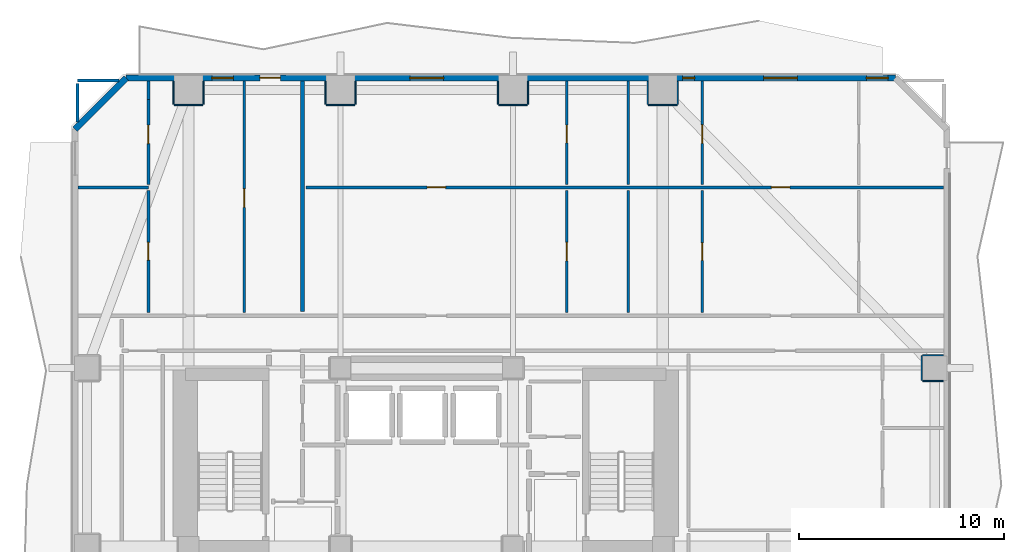
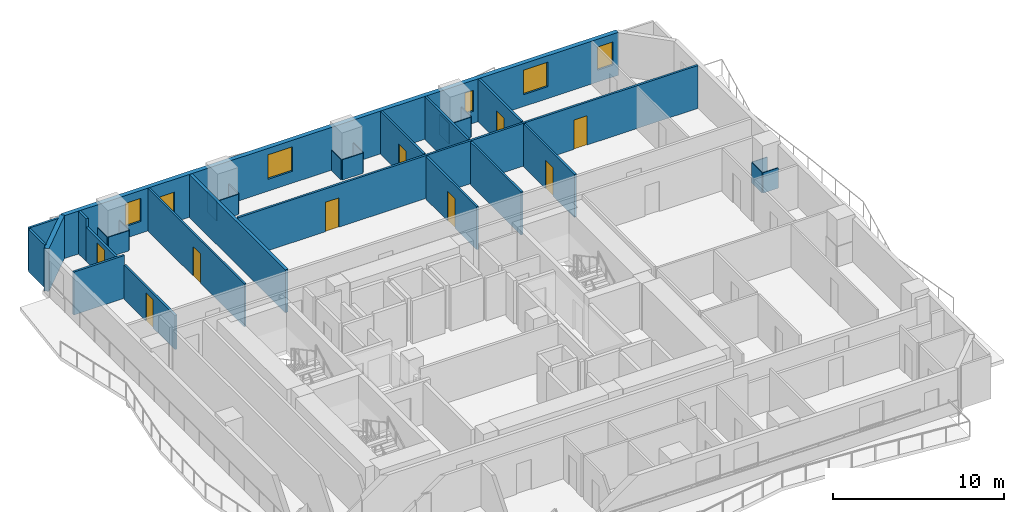
# One storey, part 6 of 11: 32 walls, 10 doors, 5 windows, 15 openings.
"""IFC4 building model written with IfcOpenShell, lengths in metres."""

from ifc_helpers import new_model, si_unit, direction, frame, frame_2d, origin, place, context, subcontext, project, spatial, rectangle, extrude, material, layer, layer_set, type_object, element, fill, save


model = new_model("IFC4")

# Units and contexts
model_context = context("Model", 3, precision=1e-05, world=origin(), true_north=direction((0.0, 1.0)))
body_context = subcontext(model_context, "Body", "Model", "MODEL_VIEW")
ifc_project = project(units=[si_unit("LENGTHUNIT", "METRE"), si_unit("AREAUNIT", "SQUARE_METRE"), si_unit("VOLUMEUNIT", "CUBIC_METRE"), si_unit("PLANEANGLEUNIT", "RADIAN"), si_unit("MASSUNIT", "GRAM", prefix="KILO")], contexts=[model_context])

# Site, building, storey
site_placement = place(None, origin())
site = spatial("IfcSite", under=ifc_project, at=site_placement, CompositionType="ELEMENT")
building_placement = place(site_placement, origin())
building = spatial("IfcBuilding", under=site, at=building_placement, Name="Solanera Arch Residences", CompositionType="ELEMENT")
storey_placement = place(building_placement, frame((0.0, 0.0, 65.159912109375)))
storey = spatial("IfcBuildingStorey", under=building, at=storey_placement, Name="L18", CompositionType="ELEMENT", Elevation=65.159912109375)

# Walls
ifc_material_1 = material(Name="Fire-Rated Gypsum Stud Partition", Category="gypsum")
ifc_layer_1 = layer(ifc_material_1, 0.06005859375)
ifc_layer_set_1 = layer_set([ifc_layer_1], Name="Fire-Rated Gypsum Stud Partition")
wall_type_1 = type_object("IfcWallType", Name="Column Acoustic Furring Wall 60", PredefinedType="PARTITIONING", material=ifc_layer_set_1)
wall_1_placement = place(storey_placement, frame((12.699951171875, 52.218017578125, 0.0), z_axis=(0.0, 0.0, 1.0), x_axis=(1.0, 0.0, 0.0)))
element("IfcWall", 1, at=wall_1_placement, inside=storey, type_object=wall_type_1, Name="L18 Column Furring 10S", PredefinedType="PARTITIONING", context=body_context, shape_type="SweptSolid", body=[
    extrude(rectangle(XDim=1.400146484375, YDim=0.06005859375, at=frame_2d((0.7001953125, 0.0))), origin(), (0.0, 0.0, 1.0), 1.4501953125),
])
for number, where, z_axis, x_axis, name in (
    (2, (12.66796875, 52.25, 0.0), (0.0, 0.0, 1.0), (0.0, 1.0, 0.0), "L18 Column Furring 10W"),
    (3, (14.132080078125, 52.25, 0.0), (0.0, 0.0, 1.0), (0.0, 1.0, 0.0), "L18 Column Furring 10E"),
):
    element("IfcWall", number, at=place(storey_placement, frame(where, z_axis=z_axis, x_axis=x_axis)), inside=storey, type_object=wall_type_1, Name=name, PredefinedType="PARTITIONING", context=body_context, shape_type="SweptSolid", body=[
        extrude(rectangle(XDim=1.1201171875, YDim=0.06005859375, at=frame_2d((0.56005859375, 0.0))), origin(), (0.0, 0.0, 1.0), 1.4501953125),
    ])
wall_2_placement = place(storey_placement, frame((20.10009765625, 52.218017578125, 0.0), z_axis=(0.0, 0.0, 1.0), x_axis=(1.0, 0.0, 0.0)))
element("IfcWall", 4, at=wall_2_placement, inside=storey, type_object=wall_type_1, Name="L18 Column Furring 12S", PredefinedType="PARTITIONING", context=body_context, shape_type="SweptSolid", body=[
    extrude(rectangle(XDim=1.39990234375, YDim=0.06005859375, at=frame_2d((0.699951171875, 0.0))), origin(), (0.0, 0.0, 1.0), 1.4501953125),
])
for number, where, z_axis, x_axis, name in (
    (5, (20.068115234375, 52.25, 0.0), (0.0, 0.0, 1.0), (0.0, 1.0, 0.0), "L18 Column Furring 12W"),
    (6, (21.531982421875, 52.25, 0.0), (0.0, 0.0, 1.0), (0.0, 1.0, 0.0), "L18 Column Furring 12E"),
):
    element("IfcWall", number, at=place(storey_placement, frame(where, z_axis=z_axis, x_axis=x_axis)), inside=storey, type_object=wall_type_1, Name=name, PredefinedType="PARTITIONING", context=body_context, shape_type="SweptSolid", body=[
        extrude(rectangle(XDim=1.1201171875, YDim=0.06005859375, at=frame_2d((0.56005859375, 0.0))), origin(), (0.0, 0.0, 1.0), 1.4501953125),
    ])
wall_3_placement = place(storey_placement, frame((28.5, 52.218017578125, 0.0), z_axis=(0.0, 0.0, 1.0), x_axis=(1.0, 0.0, 0.0)))
element("IfcWall", 7, at=wall_3_placement, inside=storey, type_object=wall_type_1, Name="L18 Column Furring 14S", PredefinedType="PARTITIONING", context=body_context, shape_type="SweptSolid", body=[
    extrude(rectangle(XDim=1.39990234375, YDim=0.06005859375, at=frame_2d((0.699951171875, 0.0))), origin(), (0.0, 0.0, 1.0), 1.4501953125),
])
for number, where, z_axis, x_axis, name in (
    (8, (28.468017578125, 52.25, 0.0), (0.0, 0.0, 1.0), (0.0, 1.0, 0.0), "L18 Column Furring 14W"),
    (9, (29.931884765625, 52.25, 0.0), (0.0, 0.0, 1.0), (0.0, 1.0, 0.0), "L18 Column Furring 14E"),
):
    element("IfcWall", number, at=place(storey_placement, frame(where, z_axis=z_axis, x_axis=x_axis)), inside=storey, type_object=wall_type_1, Name=name, PredefinedType="PARTITIONING", context=body_context, shape_type="SweptSolid", body=[
        extrude(rectangle(XDim=1.1201171875, YDim=0.06005859375, at=frame_2d((0.56005859375, 0.0))), origin(), (0.0, 0.0, 1.0), 1.4501953125),
    ])
wall_4_placement = place(storey_placement, frame((35.800048828125, 52.218017578125, 0.0), z_axis=(0.0, 0.0, 1.0), x_axis=(1.0, 0.0, 0.0)))
element("IfcWall", 10, at=wall_4_placement, inside=storey, type_object=wall_type_1, Name="L18 Column Furring 16S", PredefinedType="PARTITIONING", context=body_context, shape_type="SweptSolid", body=[
    extrude(rectangle(XDim=1.39990234375, YDim=0.06005859375, at=frame_2d((0.699951171875, 0.0))), origin(), (0.0, 0.0, 1.0), 1.4501953125),
])
for number, where, z_axis, x_axis, name in (
    (11, (35.76806640625, 52.25, 0.0), (0.0, 0.0, 1.0), (0.0, 1.0, 0.0), "L18 Column Furring 16W"),
    (12, (37.23193359375, 52.25, 0.0), (0.0, 0.0, 1.0), (0.0, 1.0, 0.0), "L18 Column Furring 16E"),
):
    element("IfcWall", number, at=place(storey_placement, frame(where, z_axis=z_axis, x_axis=x_axis)), inside=storey, type_object=wall_type_1, Name=name, PredefinedType="PARTITIONING", context=body_context, shape_type="SweptSolid", body=[
        extrude(rectangle(XDim=1.1201171875, YDim=0.06005859375, at=frame_2d((0.56005859375, 0.0))), origin(), (0.0, 0.0, 1.0), 1.4501953125),
    ])
for number, where, z_axis, x_axis, name in (
    (13, (49.14990234375, 38.76806640625, 0.0), (0.0, 0.0, 1.0), (1.0, 0.0, 0.0), "L18 Column Furring 22S"),
    (14, (49.14990234375, 40.031982421875, 0.0), (0.0, 0.0, 1.0), (1.0, 0.0, 0.0), "L18 Column Furring 22N"),
):
    element("IfcWall", number, at=place(storey_placement, frame(where, z_axis=z_axis, x_axis=x_axis)), inside=storey, type_object=wall_type_1, Name=name, PredefinedType="PARTITIONING", context=body_context, shape_type="SweptSolid", body=[
        extrude(rectangle(XDim=1.02001953125, YDim=0.06005859375, at=frame_2d((0.510009765625, 0.0))), origin(), (0.0, 0.0, 1.0), 1.4501953125),
    ])
wall_5_placement = place(storey_placement, frame((49.117919921875, 38.800048828125, 0.0), z_axis=(0.0, 0.0, 1.0), x_axis=(0.0, 1.0, 0.0)))
element("IfcWall", 15, at=wall_5_placement, inside=storey, type_object=wall_type_1, Name="L18 Column Furring 22W", PredefinedType="PARTITIONING", context=body_context, shape_type="SweptSolid", body=[
    extrude(rectangle(XDim=1.199951171875, YDim=0.06005859375, at=frame_2d((0.60009765625, 0.0))), origin(), (0.0, 0.0, 1.0), 1.4501953125),
])
ifc_material_2 = material(Name="Precast Concrete C35/45", Category="concrete")
ifc_layer_2 = layer(ifc_material_2, 0.300048828125)
ifc_layer_set_2 = layer_set([ifc_layer_2], Name="Precast Concrete C35/45")
wall_type_2 = type_object("IfcWallType", Name="Exterior Wall Precast Masonry-Frame 300", PredefinedType="STANDARD", material=ifc_layer_set_2)
wall_6_placement = place(storey_placement, frame((7.864990234375, 51.034912109375, 0.0), z_axis=(0.0, 0.0, 1.0), x_axis=(0.707106781187, 0.707106781187, 0.0)))
element("IfcWall", 16, at=wall_6_placement, inside=storey, type_object=wall_type_2, Name="L18 Tower Exterior Precast Masonry-Frame Wall CH1", PredefinedType="STANDARD", context=body_context, shape_type="SweptSolid", body=[
    extrude(rectangle(XDim=3.53564453125, YDim=0.300048828125, at=frame_2d((1.767822265625, 0.0))), origin(), (0.0, 0.0, 1.0), 3.06005859375),
])

# Wall, openings, door, windows
wall_7_placement = place(storey_placement, frame((10.364990234375, 53.534912109375, 0.0), z_axis=(0.0, 0.0, 1.0), x_axis=(1.0, 0.0, 0.0)))
wall_7 = element("IfcWall", 17, at=wall_7_placement, inside=storey, type_object=wall_type_2, Name="L18 Tower Exterior Precast Masonry-Frame Wall N", PredefinedType="STANDARD", context=body_context, shape_type="SweptSolid", body=[
    extrude(rectangle(XDim=37.469970703125, YDim=0.300048828125, at=frame_2d((18.73486328125, 0.0))), origin(), (0.0, 0.0, 1.0), 3.06005859375),
])
opening_1_placement = place(wall_7_placement, frame((6.50390625, 0.0, 0.0)))
opening_1 = element("IfcOpeningElement", 18, at=opening_1_placement, cuts=wall_7, Name="Opening DB-01", PredefinedType="OPENING", context=body_context, shape_type="SweptSolid", body=[
    extrude(rectangle(XDim=1.0, YDim=2.14990234375, at=frame_2d((0.5, 1.074951171875))), frame((0.0, 0.159912109375, 0.0), z_axis=(0.0, -1.0, 0.0), x_axis=(1.0, 0.0, 0.0)), (0.0, 0.0, 1.0), 0.32),
])
opening_2_placement = place(wall_7_placement, frame((4.1689453125, 0.0, 0.85009765625)))
opening_2 = element("IfcOpeningElement", 19, at=opening_2_placement, cuts=wall_7, Name="Opening W-07", PredefinedType="OPENING", context=body_context, shape_type="SweptSolid", body=[
    extrude(rectangle(XDim=1.050048828125, YDim=1.64990234375, at=frame_2d((0.52490234375, 0.824951171875))), frame((0.0, 0.159912109375, 0.0), z_axis=(0.0, -1.0, 0.0), x_axis=(1.0, 0.0, 0.0)), (0.0, 0.0, 1.0), 0.32),
])
opening_3_placement = place(wall_7_placement, frame((13.81005859375, 0.0, 0.85009765625)))
opening_3 = element("IfcOpeningElement", 20, at=opening_3_placement, cuts=wall_7, Name="Opening W-08", PredefinedType="OPENING", context=body_context, shape_type="SweptSolid", body=[
    extrude(rectangle(XDim=1.64990234375, YDim=1.75, at=frame_2d((0.824951171875, 0.875))), frame((0.0, 0.159912109375, 0.0), z_axis=(0.0, -1.0, 0.0), x_axis=(1.0, 0.0, 0.0)), (0.0, 0.0, 1.0), 0.32),
])
opening_4_placement = place(wall_7_placement, frame((31.0458984375, 0.0, 0.85009765625)))
opening_4 = element("IfcOpeningElement", 21, at=opening_4_placement, cuts=wall_7, Name="Opening W-08", PredefinedType="OPENING", context=body_context, shape_type="SweptSolid", body=[
    extrude(rectangle(XDim=1.64990234375, YDim=1.75, at=frame_2d((0.824951171875, 0.875))), frame((0.0, 0.159912109375, 0.0), z_axis=(0.0, -1.0, 0.0), x_axis=(1.0, 0.0, 0.0)), (0.0, 0.0, 1.0), 0.32),
])
opening_5_placement = place(wall_7_placement, frame((27.10693359375, 0.0, 0.85009765625)))
opening_5 = element("IfcOpeningElement", 22, at=opening_5_placement, cuts=wall_7, Name="Opening W-14", PredefinedType="OPENING", context=body_context, shape_type="SweptSolid", body=[
    extrude(rectangle(XDim=0.580078125, YDim=1.5, at=frame_2d((0.2900390625, 0.75))), frame((0.0, 0.159912109375, 0.0), z_axis=(0.0, -1.0, 0.0), x_axis=(1.0, 0.0, 0.0)), (0.0, 0.0, 1.0), 0.32),
])
opening_6_placement = place(wall_7_placement, frame((36.055908203125, 0.0, 0.85009765625)))
opening_6 = element("IfcOpeningElement", 23, at=opening_6_placement, cuts=wall_7, Name="Opening W-07", PredefinedType="OPENING", context=body_context, shape_type="SweptSolid", body=[
    extrude(rectangle(XDim=1.050048828125, YDim=1.64990234375, at=frame_2d((0.52490234375, 0.824951171875))), frame((0.0, 0.159912109375, 0.0), z_axis=(0.0, -1.0, 0.0), x_axis=(1.0, 0.0, 0.0)), (0.0, 0.0, 1.0), 0.32),
])
ifc_material_3 = material(Name="Anodised Aluminium Alloy 6063-T6", Category="aluminium")
door_type_1 = type_object("IfcDoorType", Name="Glazed Balcony Swing Door DB-01", OperationType="NOTDEFINED", PredefinedType="DOOR", material=ifc_material_3)
door_1_placement = place(opening_1_placement, origin())
door_1 = element("IfcDoor", 24, at=door_1_placement, inside=storey, type_object=door_type_1, Name="DR-L18-OUT-02", OperationType="SINGLE_SWING_LEFT", OverallHeight=2.14990234375, OverallWidth=1.0, PredefinedType="DOOR", context=body_context, shape_type="SweptSolid", body=[
    extrude(rectangle(XDim=1.0, YDim=2.14990234375, at=frame_2d((0.5, 1.074951171875))), frame((0.0, 0.02490234375, 0.0), z_axis=(0.0, -1.0, 0.0), x_axis=(1.0, 0.0, 0.0)), (0.0, 0.0, 1.0), 0.050048828125),
])
fill(opening_1, door_1)
ifc_material_4 = material(Name="Double Glazed Low-E Laminated Glass", Category="glass")
window_type_1 = type_object("IfcWindowType", Name="Punched Window W-07", PartitioningType="SINGLE_PANEL", PredefinedType="WINDOW", material=ifc_material_4)
window_1_placement = place(opening_2_placement, origin())
window_1 = element("IfcWindow", 25, at=window_1_placement, inside=storey, type_object=window_type_1, Name="L18 1805-LIV Punched Window", OverallHeight=1.64990234375, OverallWidth=1.050048828125, PartitioningType="SINGLE_PANEL", PredefinedType="WINDOW", context=body_context, shape_type="SweptSolid", body=[
    extrude(rectangle(XDim=1.050048828125, YDim=1.64990234375, at=frame_2d((0.52490234375, 0.824951171875))), frame((0.0, 0.030029296875, 0.0), z_axis=(0.0, -1.0, 0.0), x_axis=(1.0, 0.0, 0.0)), (0.0, 0.0, 1.0), 0.06005859375),
])
fill(opening_2, window_1)
window_2_placement = place(opening_6_placement, origin())
window_2 = element("IfcWindow", 26, at=window_2_placement, inside=storey, type_object=window_type_1, Name="L18 1807-STD Punched Window", OverallHeight=1.64990234375, OverallWidth=1.050048828125, PartitioningType="SINGLE_PANEL", PredefinedType="WINDOW", context=body_context, shape_type="SweptSolid", body=[
    extrude(rectangle(XDim=1.050048828125, YDim=1.64990234375, at=frame_2d((0.52490234375, 0.824951171875))), frame((0.0, 0.030029296875, 0.0), z_axis=(0.0, -1.0, 0.0), x_axis=(1.0, 0.0, 0.0)), (0.0, 0.0, 1.0), 0.06005859375),
])
fill(opening_6, window_2)
ifc_material_5 = material(Name="Double Glazed Low-E Laminated Glass", Category="glass")
window_type_2 = type_object("IfcWindowType", Name="Punched Window W-08", PartitioningType="DOUBLE_PANEL_HORIZONTAL", PredefinedType="WINDOW", material=ifc_material_5)
window_3_placement = place(opening_3_placement, origin())
window_3 = element("IfcWindow", 27, at=window_3_placement, inside=storey, type_object=window_type_2, Name="L18 1806-LIV Punched Window", OverallHeight=1.75, OverallWidth=1.64990234375, PartitioningType="SINGLE_PANEL", PredefinedType="WINDOW", context=body_context, shape_type="SweptSolid", body=[
    extrude(rectangle(XDim=1.64990234375, YDim=1.75, at=frame_2d((0.824951171875, 0.875))), frame((0.0, 0.030029296875, 0.0), z_axis=(0.0, -1.0, 0.0), x_axis=(1.0, 0.0, 0.0)), (0.0, 0.0, 1.0), 0.06005859375),
])
fill(opening_3, window_3)
window_4_placement = place(opening_4_placement, origin())
window_4 = element("IfcWindow", 28, at=window_4_placement, inside=storey, type_object=window_type_2, Name="L18 1807-LIV Punched Window", OverallHeight=1.75, OverallWidth=1.64990234375, PartitioningType="SINGLE_PANEL", PredefinedType="WINDOW", context=body_context, shape_type="SweptSolid", body=[
    extrude(rectangle(XDim=1.64990234375, YDim=1.75, at=frame_2d((0.824951171875, 0.875))), frame((0.0, 0.030029296875, 0.0), z_axis=(0.0, -1.0, 0.0), x_axis=(1.0, 0.0, 0.0)), (0.0, 0.0, 1.0), 0.06005859375),
])
fill(opening_4, window_4)
ifc_material_6 = material(Name="Double Glazed Low-E Laminated Glass", Category="glass")
window_type_3 = type_object("IfcWindowType", Name="Punched Window W-14", PartitioningType="SINGLE_PANEL", PredefinedType="WINDOW", material=ifc_material_6)
window_5_placement = place(opening_5_placement, origin())
window_5 = element("IfcWindow", 29, at=window_5_placement, inside=storey, type_object=window_type_3, Name="L18 1807-BR1 Punched Window", OverallHeight=1.5, OverallWidth=0.580078125, PartitioningType="SINGLE_PANEL", PredefinedType="WINDOW", context=body_context, shape_type="SweptSolid", body=[
    extrude(rectangle(XDim=0.580078125, YDim=1.5, at=frame_2d((0.2900390625, 0.75))), frame((0.0, 0.030029296875, 0.0), z_axis=(0.0, -1.0, 0.0), x_axis=(1.0, 0.0, 0.0)), (0.0, 0.0, 1.0), 0.06005859375),
])
fill(opening_5, window_5)

# Wall
ifc_material_7 = material(Name="Autoclaved Aerated Concrete Blockwork", Category="masonry")
ifc_layer_3 = layer(ifc_material_7, 0.199951171875)
ifc_layer_set_3 = layer_set([ifc_layer_3], Name="Autoclaved Aerated Concrete Blockwork")
wall_type_3 = type_object("IfcWallType", Name="Party Wall Acoustic 200", PredefinedType="PARTITIONING", material=ifc_layer_set_3)
wall_8_placement = place(storey_placement, frame((18.949951171875, 42.14794921875, 0.0), z_axis=(0.0, 0.0, 1.0), x_axis=(0.0, 1.0, 0.0)))
element("IfcWall", 30, at=wall_8_placement, inside=storey, type_object=wall_type_3, Name="L18 Interior Partition V8", PredefinedType="PARTITIONING", context=body_context, shape_type="SweptSolid", body=[
    extrude(rectangle(XDim=11.22509765625, YDim=0.199951171875, at=frame_2d((5.612548828125, 0.0))), origin(), (0.0, 0.0, 1.0), 3.06005859375),
])

# Wall, opening, door
ifc_material_8 = material(Name="Fire-Rated Gypsum Stud Partition", Category="gypsum")
ifc_layer_4 = layer(ifc_material_8, 0.1201171875)
ifc_layer_set_4 = layer_set([ifc_layer_4], Name="Fire-Rated Gypsum Stud Partition")
wall_type_4 = type_object("IfcWallType", Name="Unit Drywall Partition 120", PredefinedType="PARTITIONING", material=ifc_layer_set_4)
wall_9_placement = place(storey_placement, frame((16.117919921875, 42.10791015625, 0.0), z_axis=(0.0, 0.0, 1.0), x_axis=(0.0, 1.0, 0.0)))
wall_9 = element("IfcWall", 31, at=wall_9_placement, inside=storey, type_object=wall_type_4, Name="L18 Interior Partition V28", PredefinedType="PARTITIONING", context=body_context, shape_type="SweptSolid", body=[
    extrude(rectangle(XDim=11.26513671875, YDim=0.1201171875, at=frame_2d((5.632568359375, 0.0))), origin(), (0.0, 0.0, 1.0), 3.06005859375),
])
opening_7_placement = place(wall_9_placement, frame((5.116943359375, 0.0, 0.0)))
opening_7 = element("IfcOpeningElement", 32, at=opening_7_placement, cuts=wall_9, Name="Opening DI-02", PredefinedType="OPENING", context=body_context, shape_type="SweptSolid", body=[
    extrude(rectangle(XDim=0.89990234375, YDim=2.10009765625, at=frame_2d((0.449951171875, 1.050048828125))), frame((0.0, 0.070068359375, 0.0), z_axis=(0.0, -1.0, 0.0), x_axis=(1.0, 0.0, 0.0)), (0.0, 0.0, 1.0), 0.1401),
])
ifc_material_9 = material(Name="Fire-Rated Architectural Hardwood", Category="wood")
door_type_2 = type_object("IfcDoorType", Name="Suite Room Swing Door DI-02", OperationType="NOTDEFINED", PredefinedType="DOOR", material=ifc_material_9)
door_2_placement = place(opening_7_placement, origin())
door_2 = element("IfcDoor", 33, at=door_2_placement, inside=storey, type_object=door_type_2, Name="DR-L18-IN-031", OperationType="SINGLE_SWING_LEFT", OverallHeight=2.10009765625, OverallWidth=0.89990234375, PredefinedType="DOOR", context=body_context, shape_type="SweptSolid", body=[
    extrude(rectangle(XDim=0.89990234375, YDim=2.10009765625, at=frame_2d((0.449951171875, 1.050048828125))), frame((0.0, 0.02490234375, 0.0), z_axis=(0.0, -1.0, 0.0), x_axis=(1.0, 0.0, 0.0)), (0.0, 0.0, 1.0), 0.050048828125),
])
fill(opening_7, door_2)

# Wall
ifc_material_10 = material(Name="Autoclaved Aerated Concrete Blockwork", Category="masonry")
ifc_layer_5 = layer(ifc_material_10, 0.139892578125)
ifc_layer_set_5 = layer_set([ifc_layer_5], Name="Autoclaved Aerated Concrete Blockwork")
wall_type_5 = type_object("IfcWallType", Name="Wet-Room Partition 140", PredefinedType="PARTITIONING", material=ifc_layer_set_5)
wall_10_placement = place(storey_placement, frame((8.027099609375, 48.199951171875, 0.0), z_axis=(0.0, 0.0, 1.0), x_axis=(1.0, 0.0, 0.0)))
element("IfcWall", 34, at=wall_10_placement, inside=storey, type_object=wall_type_5, Name="L18 Interior Partition H21", PredefinedType="PARTITIONING", context=body_context, shape_type="SweptSolid", body=[
    extrude(rectangle(XDim=3.419921875, YDim=0.139892578125, at=frame_2d((1.7099609375, 0.0))), origin(), (0.0, 0.0, 1.0), 3.06005859375),
])

# Wall, openings, doors
wall_11_placement = place(storey_placement, frame((19.1201171875, 48.199951171875, 0.0), z_axis=(0.0, 0.0, 1.0), x_axis=(1.0, 0.0, 0.0)))
wall_11 = element("IfcWall", 35, at=wall_11_placement, inside=storey, type_object=wall_type_5, Name="L18 Interior Partition H22", PredefinedType="PARTITIONING", context=body_context, shape_type="SweptSolid", body=[
    extrude(rectangle(XDim=31.052978515625, YDim=0.139892578125, at=frame_2d((15.5263671875, 0.0))), origin(), (0.0, 0.0, 1.0), 3.06005859375),
])
opening_8_placement = place(wall_11_placement, frame((5.89990234375, 0.0, 0.0)))
opening_8 = element("IfcOpeningElement", 36, at=opening_8_placement, cuts=wall_11, Name="Opening DI-02", PredefinedType="OPENING", context=body_context, shape_type="SweptSolid", body=[
    extrude(rectangle(XDim=0.89990234375, YDim=2.10009765625, at=frame_2d((0.449951171875, 1.050048828125))), frame((0.0, 0.079833984375, 0.0), z_axis=(0.0, -1.0, 0.0), x_axis=(1.0, 0.0, 0.0)), (0.0, 0.0, 1.0), 0.1599),
])
opening_9_placement = place(wall_11_placement, frame((22.6650390625, 0.0, 0.0)))
opening_9 = element("IfcOpeningElement", 37, at=opening_9_placement, cuts=wall_11, Name="Opening DI-02", PredefinedType="OPENING", context=body_context, shape_type="SweptSolid", body=[
    extrude(rectangle(XDim=0.89990234375, YDim=2.10009765625, at=frame_2d((0.449951171875, 1.050048828125))), frame((0.0, 0.079833984375, 0.0), z_axis=(0.0, -1.0, 0.0), x_axis=(1.0, 0.0, 0.0)), (0.0, 0.0, 1.0), 0.1599),
])
door_3_placement = place(opening_8_placement, origin())
door_3 = element("IfcDoor", 38, at=door_3_placement, inside=storey, type_object=door_type_2, Name="DR-L18-IN-033", OperationType="SINGLE_SWING_LEFT", OverallHeight=2.10009765625, OverallWidth=0.89990234375, PredefinedType="DOOR", context=body_context, shape_type="SweptSolid", body=[
    extrude(rectangle(XDim=0.89990234375, YDim=2.10009765625, at=frame_2d((0.449951171875, 1.050048828125))), frame((0.0, 0.02490234375, 0.0), z_axis=(0.0, -1.0, 0.0), x_axis=(1.0, 0.0, 0.0)), (0.0, 0.0, 1.0), 0.050048828125),
])
fill(opening_8, door_3)
door_4_placement = place(opening_9_placement, origin())
door_4 = element("IfcDoor", 39, at=door_4_placement, inside=storey, type_object=door_type_2, Name="DR-L18-IN-037", OperationType="SINGLE_SWING_LEFT", OverallHeight=2.10009765625, OverallWidth=0.89990234375, PredefinedType="DOOR", context=body_context, shape_type="SweptSolid", body=[
    extrude(rectangle(XDim=0.89990234375, YDim=2.10009765625, at=frame_2d((0.449951171875, 1.050048828125))), frame((0.0, 0.02490234375, 0.0), z_axis=(0.0, -1.0, 0.0), x_axis=(1.0, 0.0, 0.0)), (0.0, 0.0, 1.0), 0.050048828125),
])
fill(opening_9, door_4)

# Walls
wall_12_placement = place(storey_placement, frame((8.0, 53.39990234375, 0.0), z_axis=(0.0, 0.0, 1.0), x_axis=(1.0, 0.0, 0.0)))
element("IfcWall", 40, at=wall_12_placement, inside=storey, type_object=wall_type_5, Name="L18 Interior Partition H23 1", PredefinedType="PARTITIONING", context=body_context, shape_type="SweptSolid", body=[
    extrude(rectangle(XDim=2.0009765625, YDim=0.139892578125, at=frame_2d((1.00048828125, 0.0))), origin(), (0.0, 0.0, 1.0), 3.06005859375),
])
wall_13_placement = place(storey_placement, frame((8.0, 51.39892578125, 0.0), z_axis=(0.0, 0.0, 1.0), x_axis=(0.0, 1.0, 0.0)))
element("IfcWall", 41, at=wall_13_placement, inside=storey, type_object=wall_type_5, Name="L18 Interior Partition V13", PredefinedType="PARTITIONING", context=body_context, shape_type="SweptSolid", body=[
    extrude(rectangle(XDim=1.85302734375, YDim=0.139892578125, at=frame_2d((0.926513671875, 0.0))), origin(), (0.0, 0.0, 1.0), 3.06005859375),
])

# Wall, opening, door
wall_14_placement = place(storey_placement, frame((11.447021484375, 42.117919921875, 0.0), z_axis=(0.0, 0.0, 1.0), x_axis=(0.0, 1.0, 0.0)))
wall_14 = element("IfcWall", 42, at=wall_14_placement, inside=storey, type_object=wall_type_5, Name="L18 Interior Partition V15 1", PredefinedType="PARTITIONING", context=body_context, shape_type="SweptSolid", body=[
    extrude(rectangle(XDim=5.93408203125, YDim=0.139892578125, at=frame_2d((2.967041015625, 0.0))), origin(), (0.0, 0.0, 1.0), 2.445068359375),
])
opening_10_placement = place(wall_14_placement, frame((2.5400390625, 0.0, 0.0)))
opening_10 = element("IfcOpeningElement", 43, at=opening_10_placement, cuts=wall_14, Name="Opening DI-05", PredefinedType="OPENING", context=body_context, shape_type="SweptSolid", body=[
    extrude(rectangle(XDim=0.860107421875, YDim=2.02001953125, at=frame_2d((0.43017578125, 1.010009765625))), frame((0.0, 0.079833984375, 0.0), z_axis=(0.0, -1.0, 0.0), x_axis=(1.0, 0.0, 0.0)), (0.0, 0.0, 1.0), 0.1599),
])
ifc_material_11 = material(Name="Fire-Rated Architectural Hardwood", Category="wood")
door_type_3 = type_object("IfcDoorType", Name="Bathroom Swing Door DI-05", OperationType="NOTDEFINED", PredefinedType="DOOR", material=ifc_material_11)
door_5_placement = place(opening_10_placement, origin())
door_5 = element("IfcDoor", 44, at=door_5_placement, inside=storey, type_object=door_type_3, Name="DR-L18-IN-029", OperationType="SINGLE_SWING_LEFT", OverallHeight=2.02001953125, OverallWidth=0.860107421875, PredefinedType="DOOR", context=body_context, shape_type="SweptSolid", body=[
    extrude(rectangle(XDim=0.860107421875, YDim=2.02001953125, at=frame_2d((0.43017578125, 1.010009765625))), frame((0.0, 0.02490234375, 0.0), z_axis=(0.0, -1.0, 0.0), x_axis=(1.0, 0.0, 0.0)), (0.0, 0.0, 1.0), 0.050048828125),
])
fill(opening_10, door_5)

wall_15_placement = place(storey_placement, frame((11.447021484375, 48.347900390625, 0.0), z_axis=(0.0, 0.0, 1.0), x_axis=(0.0, 1.0, 0.0)))
wall_15 = element("IfcWall", 45, at=wall_15_placement, inside=storey, type_object=wall_type_5, Name="L18 Interior Partition V15 2", PredefinedType="PARTITIONING", context=body_context, shape_type="SweptSolid", body=[
    extrude(rectangle(XDim=4.135009765625, YDim=0.139892578125, at=frame_2d((2.0673828125, 0.0))), origin(), (0.0, 0.0, 1.0), 2.445068359375),
])
opening_11_placement = place(wall_15_placement, frame((1.989013671875, 0.0, 0.0)))
opening_11 = element("IfcOpeningElement", 46, at=opening_11_placement, cuts=wall_15, Name="Opening DI-03", PredefinedType="OPENING", context=body_context, shape_type="SweptSolid", body=[
    extrude(rectangle(XDim=0.89990234375, YDim=2.10009765625, at=frame_2d((0.449951171875, 1.050048828125))), frame((0.0, 0.079833984375, 0.0), z_axis=(0.0, -1.0, 0.0), x_axis=(1.0, 0.0, 0.0)), (0.0, 0.0, 1.0), 0.1599),
])
ifc_material_12 = material(Name="Fire-Rated Architectural Hardwood", Category="wood")
door_type_4 = type_object("IfcDoorType", Name="Bedroom Swing Door DI-03", OperationType="NOTDEFINED", PredefinedType="DOOR", material=ifc_material_12)
door_6_placement = place(opening_11_placement, origin())
door_6 = element("IfcDoor", 47, at=door_6_placement, inside=storey, type_object=door_type_4, Name="DR-L18-IN-030", OperationType="SINGLE_SWING_RIGHT", OverallHeight=2.10009765625, OverallWidth=0.89990234375, PredefinedType="DOOR", context=body_context, shape_type="SweptSolid", body=[
    extrude(rectangle(XDim=0.89990234375, YDim=2.10009765625, at=frame_2d((0.449951171875, 1.050048828125))), frame((0.0, 0.02490234375, 0.0), z_axis=(0.0, -1.0, 0.0), x_axis=(1.0, 0.0, 0.0)), (0.0, 0.0, 1.0), 0.050048828125),
])
fill(opening_11, door_6)

# Wall
wall_16_placement = place(storey_placement, frame((11.447021484375, 52.48291015625, 0.0), z_axis=(0.0, 0.0, 1.0), x_axis=(0.0, 1.0, 0.0)))
element("IfcWall", 48, at=wall_16_placement, inside=storey, type_object=wall_type_5, Name="L18 Interior Partition V15 3", PredefinedType="PARTITIONING", context=body_context, shape_type="SweptSolid", body=[
    extrude(rectangle(XDim=0.89013671875, YDim=0.139892578125, at=frame_2d((0.445068359375, 0.0))), origin(), (0.0, 0.0, 1.0), 3.06005859375),
])

# Wall, opening, door
wall_17_placement = place(storey_placement, frame((31.820068359375, 42.117919921875, 0.0), z_axis=(0.0, 0.0, 1.0), x_axis=(0.0, 1.0, 0.0)))
wall_17 = element("IfcWall", 49, at=wall_17_placement, inside=storey, type_object=wall_type_5, Name="L18 Interior Partition V18 1", PredefinedType="PARTITIONING", context=body_context, shape_type="SweptSolid", body=[
    extrude(rectangle(XDim=5.93408203125, YDim=0.139892578125, at=frame_2d((2.967041015625, 0.0))), origin(), (0.0, 0.0, 1.0), 3.06005859375),
])
opening_12_placement = place(wall_17_placement, frame((2.507080078125, 0.0, 0.0)))
opening_12 = element("IfcOpeningElement", 50, at=opening_12_placement, cuts=wall_17, Name="Opening DI-02", PredefinedType="OPENING", context=body_context, shape_type="SweptSolid", body=[
    extrude(rectangle(XDim=0.89990234375, YDim=2.10009765625, at=frame_2d((0.449951171875, 1.050048828125))), frame((0.0, 0.079833984375, 0.0), z_axis=(0.0, -1.0, 0.0), x_axis=(1.0, 0.0, 0.0)), (0.0, 0.0, 1.0), 0.1599),
])
door_7_placement = place(opening_12_placement, origin())
door_7 = element("IfcDoor", 51, at=door_7_placement, inside=storey, type_object=door_type_2, Name="DR-L18-IN-034", OperationType="SINGLE_SWING_RIGHT", OverallHeight=2.10009765625, OverallWidth=0.89990234375, PredefinedType="DOOR", context=body_context, shape_type="SweptSolid", body=[
    extrude(rectangle(XDim=0.89990234375, YDim=2.10009765625, at=frame_2d((0.449951171875, 1.050048828125))), frame((0.0, 0.02490234375, 0.0), z_axis=(0.0, -1.0, 0.0), x_axis=(1.0, 0.0, 0.0)), (0.0, 0.0, 1.0), 0.050048828125),
])
fill(opening_12, door_7)

wall_18_placement = place(storey_placement, frame((31.820068359375, 48.347900390625, 0.0), z_axis=(0.0, 0.0, 1.0), x_axis=(0.0, 1.0, 0.0)))
wall_18 = element("IfcWall", 52, at=wall_18_placement, inside=storey, type_object=wall_type_5, Name="L18 Interior Partition V18 2", PredefinedType="PARTITIONING", context=body_context, shape_type="SweptSolid", body=[
    extrude(rectangle(XDim=5.025146484375, YDim=0.139892578125, at=frame_2d((2.5126953125, 0.0))), origin(), (0.0, 0.0, 1.0), 3.06005859375),
])
opening_13_placement = place(wall_18_placement, frame((2.02197265625, 0.0, 0.0)))
opening_13 = element("IfcOpeningElement", 53, at=opening_13_placement, cuts=wall_18, Name="Opening DI-05", PredefinedType="OPENING", context=body_context, shape_type="SweptSolid", body=[
    extrude(rectangle(XDim=0.860107421875, YDim=2.02001953125, at=frame_2d((0.43017578125, 1.010009765625))), frame((0.0, 0.079833984375, 0.0), z_axis=(0.0, -1.0, 0.0), x_axis=(1.0, 0.0, 0.0)), (0.0, 0.0, 1.0), 0.1599),
])
door_8_placement = place(opening_13_placement, origin())
door_8 = element("IfcDoor", 54, at=door_8_placement, inside=storey, type_object=door_type_3, Name="DR-L18-IN-035", OperationType="SINGLE_SWING_LEFT", OverallHeight=2.02001953125, OverallWidth=0.860107421875, PredefinedType="DOOR", context=body_context, shape_type="SweptSolid", body=[
    extrude(rectangle(XDim=0.860107421875, YDim=2.02001953125, at=frame_2d((0.43017578125, 1.010009765625))), frame((0.0, 0.02490234375, 0.0), z_axis=(0.0, -1.0, 0.0), x_axis=(1.0, 0.0, 0.0)), (0.0, 0.0, 1.0), 0.050048828125),
])
fill(opening_13, door_8)

# Walls
wall_19_placement = place(storey_placement, frame((34.820068359375, 42.117919921875, 0.0), z_axis=(0.0, 0.0, 1.0), x_axis=(0.0, 1.0, 0.0)))
element("IfcWall", 55, at=wall_19_placement, inside=storey, type_object=wall_type_5, Name="L18 Interior Partition V21 1", PredefinedType="PARTITIONING", context=body_context, shape_type="SweptSolid", body=[
    extrude(rectangle(XDim=5.93408203125, YDim=0.139892578125, at=frame_2d((2.967041015625, 0.0))), origin(), (0.0, 0.0, 1.0), 3.06005859375),
])
wall_20_placement = place(storey_placement, frame((34.820068359375, 48.347900390625, 0.0), z_axis=(0.0, 0.0, 1.0), x_axis=(0.0, 1.0, 0.0)))
element("IfcWall", 56, at=wall_20_placement, inside=storey, type_object=wall_type_5, Name="L18 Interior Partition V21 2", PredefinedType="PARTITIONING", context=body_context, shape_type="SweptSolid", body=[
    extrude(rectangle(XDim=5.025146484375, YDim=0.139892578125, at=frame_2d((2.5126953125, 0.0))), origin(), (0.0, 0.0, 1.0), 3.06005859375),
])

# Wall, opening, door
wall_21_placement = place(storey_placement, frame((38.424072265625, 42.117919921875, 0.0), z_axis=(0.0, 0.0, 1.0), x_axis=(0.0, 1.0, 0.0)))
wall_21 = element("IfcWall", 57, at=wall_21_placement, inside=storey, type_object=wall_type_5, Name="L18 Interior Partition V24 1", PredefinedType="PARTITIONING", context=body_context, shape_type="SweptSolid", body=[
    extrude(rectangle(XDim=5.93408203125, YDim=0.139892578125, at=frame_2d((2.967041015625, 0.0))), origin(), (0.0, 0.0, 1.0), 3.06005859375),
])
opening_14_placement = place(wall_21_placement, frame((2.527099609375, 0.0, 0.0)))
opening_14 = element("IfcOpeningElement", 58, at=opening_14_placement, cuts=wall_21, Name="Opening DI-05", PredefinedType="OPENING", context=body_context, shape_type="SweptSolid", body=[
    extrude(rectangle(XDim=0.860107421875, YDim=2.02001953125, at=frame_2d((0.43017578125, 1.010009765625))), frame((0.0, 0.079833984375, 0.0), z_axis=(0.0, -1.0, 0.0), x_axis=(1.0, 0.0, 0.0)), (0.0, 0.0, 1.0), 0.1599),
])
door_9_placement = place(opening_14_placement, origin())
door_9 = element("IfcDoor", 59, at=door_9_placement, inside=storey, type_object=door_type_3, Name="DR-L18-IN-038", OperationType="SINGLE_SWING_RIGHT", OverallHeight=2.02001953125, OverallWidth=0.860107421875, PredefinedType="DOOR", context=body_context, shape_type="SweptSolid", body=[
    extrude(rectangle(XDim=0.860107421875, YDim=2.02001953125, at=frame_2d((0.43017578125, 1.010009765625))), frame((0.0, 0.02490234375, 0.0), z_axis=(0.0, -1.0, 0.0), x_axis=(1.0, 0.0, 0.0)), (0.0, 0.0, 1.0), 0.050048828125),
])
fill(opening_14, door_9)

wall_22_placement = place(storey_placement, frame((38.424072265625, 48.347900390625, 0.0), z_axis=(0.0, 0.0, 1.0), x_axis=(0.0, 1.0, 0.0)))
wall_22 = element("IfcWall", 60, at=wall_22_placement, inside=storey, type_object=wall_type_5, Name="L18 Interior Partition V24 2", PredefinedType="PARTITIONING", context=body_context, shape_type="SweptSolid", body=[
    extrude(rectangle(XDim=5.025146484375, YDim=0.139892578125, at=frame_2d((2.5126953125, 0.0))), origin(), (0.0, 0.0, 1.0), 3.06005859375),
])
opening_15_placement = place(wall_22_placement, frame((2.001953125, 0.0, 0.0)))
opening_15 = element("IfcOpeningElement", 61, at=opening_15_placement, cuts=wall_22, Name="Opening DI-03", PredefinedType="OPENING", context=body_context, shape_type="SweptSolid", body=[
    extrude(rectangle(XDim=0.89990234375, YDim=2.10009765625, at=frame_2d((0.449951171875, 1.050048828125))), frame((0.0, 0.079833984375, 0.0), z_axis=(0.0, -1.0, 0.0), x_axis=(1.0, 0.0, 0.0)), (0.0, 0.0, 1.0), 0.1599),
])
door_10_placement = place(opening_15_placement, origin())
door_10 = element("IfcDoor", 62, at=door_10_placement, inside=storey, type_object=door_type_4, Name="DR-L18-IN-039", OperationType="SINGLE_SWING_LEFT", OverallHeight=2.10009765625, OverallWidth=0.89990234375, PredefinedType="DOOR", context=body_context, shape_type="SweptSolid", body=[
    extrude(rectangle(XDim=0.89990234375, YDim=2.10009765625, at=frame_2d((0.449951171875, 1.050048828125))), frame((0.0, 0.02490234375, 0.0), z_axis=(0.0, -1.0, 0.0), x_axis=(1.0, 0.0, 0.0)), (0.0, 0.0, 1.0), 0.050048828125),
])
fill(opening_15, door_10)

save(model, "model.ifc")
